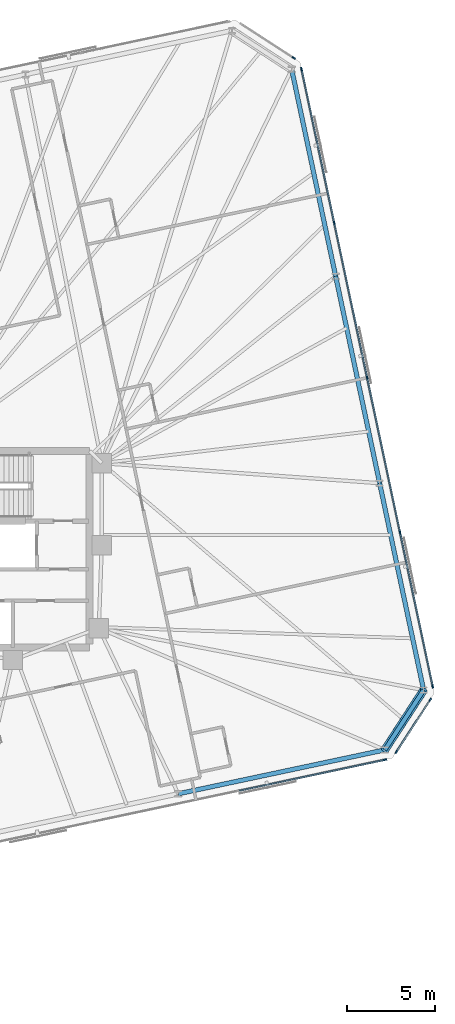
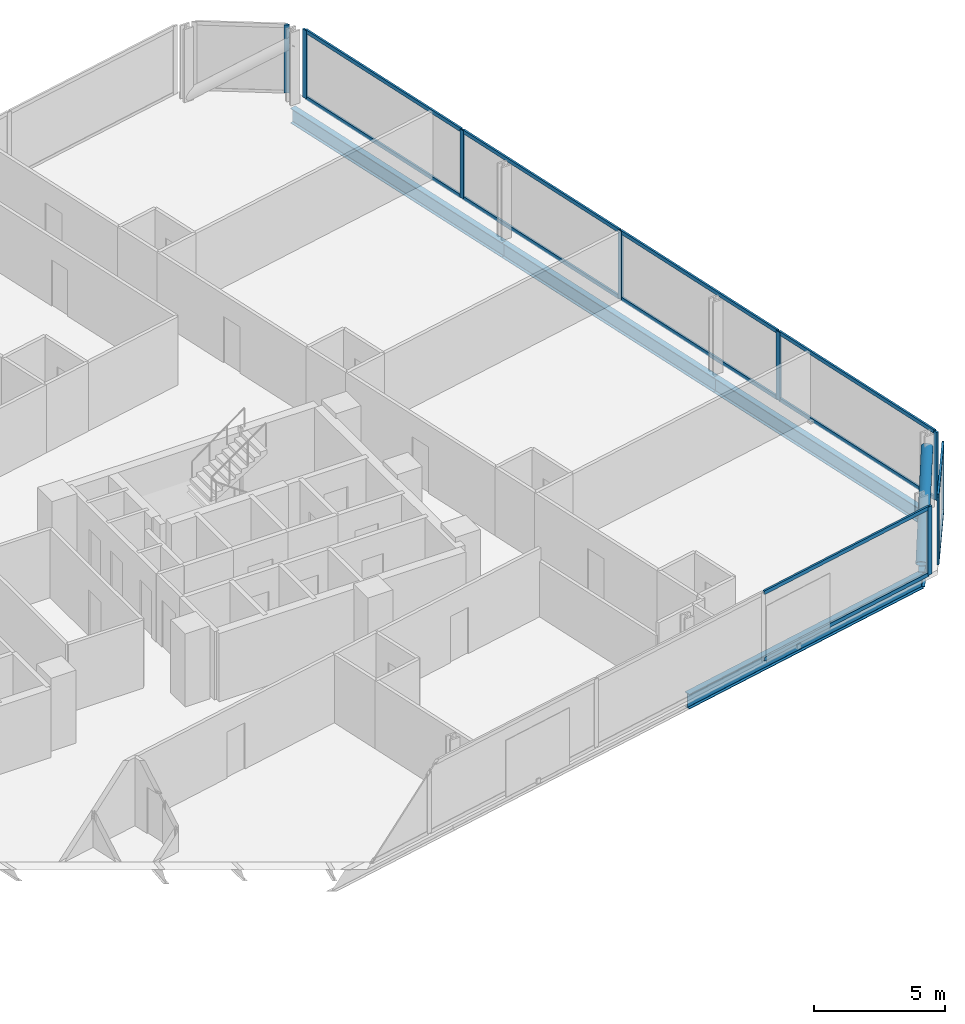
# One storey, part 12 of 19: 22 members, 5 beams, 4 elements without a shape of their own.
"""IFC4 building model written with IfcOpenShell, lengths in metres."""

from ifc_helpers import new_model, si_unit, direction, frame, origin, origin_2d, place, context, subcontext, project, spatial, rectangle, hollow_circle, i_section, extrude, material, material_profile, profile_set, type_object, element, aggregate, save


model = new_model("IFC4")

# Units and contexts
model_context = context("Model", 3, precision=1e-05, world=origin(), true_north=direction((0.0, 1.0)))
body_context = subcontext(model_context, "Body", "Model", "MODEL_VIEW")
ifc_project = project(units=[si_unit("LENGTHUNIT", "METRE"), si_unit("AREAUNIT", "SQUARE_METRE"), si_unit("VOLUMEUNIT", "CUBIC_METRE"), si_unit("PLANEANGLEUNIT", "RADIAN"), si_unit("MASSUNIT", "GRAM", prefix="KILO")], contexts=[model_context])

# Site, building, storey
site_placement = place(None, origin())
site = spatial("IfcSite", under=ifc_project, at=site_placement, CompositionType="ELEMENT")
building_placement = place(site_placement, origin())
building = spatial("IfcBuilding", under=site, at=building_placement, Name="Menara Jurai Vektor", CompositionType="ELEMENT")
storey_placement = place(building_placement, frame((0.0, 0.0, 161.60009765625)))
storey = spatial("IfcBuildingStorey", under=building, at=storey_placement, Name="L41", CompositionType="ELEMENT", Elevation=161.60009765625)

# Curtain wall, member
ifc_material_1 = material(Name="Anodised Pale Aluminium & Low-E Double Glazing", Category="aluminium")
curtain_wall_type = type_object("IfcCurtainWallType", Name="CW-BLK3", PredefinedType="NOTDEFINED", material=ifc_material_1)
curtain_wall_1_placement = place(storey_placement, origin())
curtain_wall_1 = element("IfcCurtainWall", 1, at=curtain_wall_1_placement, inside=storey, type_object=curtain_wall_type, Name="Unitised Curtain Wall L41 F01", PredefinedType="NOTDEFINED")
ifc_material_2 = material(Name="Anodised Pale Aluminium Mullion", Category="aluminium")
ifc_material_profile_1 = material_profile(ifc_material_2, rectangle(XDim=0.0849609375, YDim=0.205078125, at=origin_2d()), Name="ALU MUL 85x205")
ifc_profile_set_1 = profile_set([ifc_material_profile_1], Name="Anodised Pale Aluminium Mullion")
member_type_1 = type_object("IfcMemberType", Name="CW-BLK3-MUL", PredefinedType="MULLION", material=ifc_profile_set_1)
member_1_placement = place(storey_placement, frame((31.392578125, -11.99755859375, 0.0), z_axis=(0.0, 0.0, 1.0), x_axis=(-0.207911344156, 0.978147674419, 0.0)))
member_1 = element("IfcMember", 2, at=member_1_placement, type_object=member_type_1, Name="CW-03 mullion 8", PredefinedType="MULLION", context=body_context, shape_type="SweptSolid", body=[
    extrude(rectangle(XDim=0.0849609375, YDim=0.205078125, at=origin_2d()), origin(), (0.0, 0.0, 1.0), 3.1748046875),
])

# Curtain wall, members
curtain_wall_2_placement = place(storey_placement, origin())
curtain_wall_2 = element("IfcCurtainWall", 3, at=curtain_wall_2_placement, inside=storey, type_object=curtain_wall_type, Name="Unitised Curtain Wall L41 F02", PredefinedType="NOTDEFINED")
member_2_placement = place(storey_placement, frame((32.035888671875, -11.555419921875, 0.0), z_axis=(0.0, 0.0, 1.0), x_axis=(-0.838684361415, 0.544617794346, 0.0)))
member_2 = element("IfcMember", 4, at=member_2_placement, type_object=member_type_1, Name="CW-03 mullion 1", PredefinedType="MULLION", context=body_context, shape_type="SweptSolid", body=[
    extrude(rectangle(XDim=0.0849609375, YDim=0.205078125, at=origin_2d()), origin(), (0.0, 0.0, 1.0), 3.1748046875),
])
member_3_placement = place(storey_placement, frame((33.96337890625, -8.587158203125, 0.0), z_axis=(0.0, 0.0, 1.0), x_axis=(-0.838684361415, 0.544617794346, 0.0)))
member_3 = element("IfcMember", 5, at=member_3_placement, type_object=member_type_1, Name="CW-03 mullion 2", PredefinedType="MULLION", context=body_context, shape_type="SweptSolid", body=[
    extrude(rectangle(XDim=0.0849609375, YDim=0.205078125, at=origin_2d()), origin(), (0.0, 0.0, 1.0), 3.1748046875),
])

curtain_wall_3_placement = place(storey_placement, origin())
curtain_wall_3 = element("IfcCurtainWall", 6, at=curtain_wall_3_placement, inside=storey, type_object=curtain_wall_type, Name="Unitised Curtain Wall L41 F03", PredefinedType="NOTDEFINED")
member_4_placement = place(storey_placement, frame((34.105712890625, -7.819580078125, 0.0), z_axis=(0.0, 0.0, 1.0), x_axis=(-0.978147883949, -0.20791035839, 0.0)))
member_4 = element("IfcMember", 7, at=member_4_placement, type_object=member_type_1, Name="CW-03 mullion 1", PredefinedType="MULLION", context=body_context, shape_type="SweptSolid", body=[
    extrude(rectangle(XDim=0.0849609375, YDim=0.205078125, at=origin_2d()), origin(), (0.0, 0.0, 1.0), 3.1748046875),
])
member_5_placement = place(storey_placement, frame((32.2412109375, 0.951904296875, 0.0), z_axis=(0.0, 0.0, 1.0), x_axis=(-0.978147883949, -0.20791035839, 0.0)))
member_5 = element("IfcMember", 8, at=member_5_placement, type_object=member_type_1, Name="CW-03 mullion 2", PredefinedType="MULLION", context=body_context, shape_type="SweptSolid", body=[
    extrude(rectangle(XDim=0.0849609375, YDim=0.205078125, at=origin_2d()), origin(), (0.0, 0.0, 1.0), 3.1748046875),
])
member_6_placement = place(storey_placement, frame((30.367919921875, 9.76513671875, 0.0), z_axis=(0.0, 0.0, 1.0), x_axis=(-0.978147883949, -0.20791035839, 0.0)))
member_6 = element("IfcMember", 9, at=member_6_placement, type_object=member_type_1, Name="CW-03 mullion 3", PredefinedType="MULLION", context=body_context, shape_type="SweptSolid", body=[
    extrude(rectangle(XDim=0.0849609375, YDim=0.205078125, at=origin_2d()), origin(), (0.0, 0.0, 1.0), 3.1748046875),
])
member_7_placement = place(storey_placement, frame((28.49462890625, 18.578125, 0.0), z_axis=(0.0, 0.0, 1.0), x_axis=(-0.978147883949, -0.20791035839, 0.0)))
member_7 = element("IfcMember", 10, at=member_7_placement, type_object=member_type_1, Name="CW-03 mullion 4", PredefinedType="MULLION", context=body_context, shape_type="SweptSolid", body=[
    extrude(rectangle(XDim=0.0849609375, YDim=0.205078125, at=origin_2d()), origin(), (0.0, 0.0, 1.0), 3.1748046875),
])
member_8_placement = place(storey_placement, frame((26.630126953125, 27.349609375, 0.0), z_axis=(0.0, 0.0, 1.0), x_axis=(-0.978147883949, -0.20791035839, 0.0)))
member_8 = element("IfcMember", 11, at=member_8_placement, type_object=member_type_1, Name="CW-03 mullion 5", PredefinedType="MULLION", context=body_context, shape_type="SweptSolid", body=[
    extrude(rectangle(XDim=0.0849609375, YDim=0.205078125, at=origin_2d()), origin(), (0.0, 0.0, 1.0), 3.1748046875),
])

# Curtain wall, member
curtain_wall_4_placement = place(storey_placement, origin())
curtain_wall_4 = element("IfcCurtainWall", 12, at=curtain_wall_4_placement, inside=storey, type_object=curtain_wall_type, Name="Unitised Curtain Wall L41 F04", PredefinedType="NOTDEFINED")
member_9_placement = place(storey_placement, frame((26.18798828125, 27.9931640625, 0.0), z_axis=(0.0, 0.0, 1.0), x_axis=(-0.544617794346, -0.838684361415, 0.0)))
member_9 = element("IfcMember", 13, at=member_9_placement, type_object=member_type_1, Name="CW-03 mullion 1", PredefinedType="MULLION", context=body_context, shape_type="SweptSolid", body=[
    extrude(rectangle(XDim=0.0849609375, YDim=0.205078125, at=origin_2d()), origin(), (0.0, 0.0, 1.0), 3.1748046875),
])
aggregate(curtain_wall_4, [member_9])

# Member
ifc_material_3 = material(Name="Anodised Pale Aluminium Transom", Category="aluminium")
ifc_material_profile_2 = material_profile(ifc_material_3, rectangle(XDim=0.0849609375, YDim=0.175048828125, at=origin_2d()), Name="ALU TRN 85x175")
ifc_profile_set_2 = profile_set([ifc_material_profile_2], Name="Anodised Pale Aluminium Transom")
member_type_2 = type_object("IfcMemberType", Name="CW-BLK3-TRN", PredefinedType="USERDEFINED", material=ifc_profile_set_2)
member_10_placement = place(storey_placement, frame((23.0859375, -13.76318359375, 0.04248046875), z_axis=(0.978146953428, 0.207914736128, 0.0), x_axis=(-0.207914736128, 0.978146953428, 0.0)))
member_10 = element("IfcMember", 14, at=member_10_placement, type_object=member_type_2, Name="CW-03 transom 7.1", ObjectType="TRANSOM", PredefinedType="USERDEFINED", context=body_context, shape_type="SweptSolid", body=[
    extrude(rectangle(XDim=0.0849609375, YDim=0.175048828125, at=origin_2d()), origin(), (0.0, 0.0, 1.0), 8.44970703125),
])

member_11_placement = place(storey_placement, frame((23.0859375, -13.76318359375, 3.13232421875), z_axis=(0.978146953428, 0.207914736128, 0.0), x_axis=(-0.207914736128, 0.978146953428, 0.0)))
member_11 = element("IfcMember", 15, at=member_11_placement, type_object=member_type_2, Name="CW-03 transom 7.2", ObjectType="TRANSOM", PredefinedType="USERDEFINED", context=body_context, shape_type="SweptSolid", body=[
    extrude(rectangle(XDim=0.0849609375, YDim=0.175048828125, at=origin_2d()), origin(), (0.0, 0.0, 1.0), 8.44970703125),
])

aggregate(curtain_wall_1, [member_1, member_10, member_11])

member_12_placement = place(storey_placement, frame((32.05908203125, -11.519775390625, 0.04248046875), z_axis=(0.54459575764, 0.838698671014, 0.0), x_axis=(-0.838698671014, 0.54459575764, 0.0)))
member_12 = element("IfcMember", 16, at=member_12_placement, type_object=member_type_2, Name="CW-03 transom 1.1", ObjectType="TRANSOM", PredefinedType="USERDEFINED", context=body_context, shape_type="SweptSolid", body=[
    extrude(rectangle(XDim=0.0849609375, YDim=0.175048828125, at=origin_2d()), origin(), (0.0, 0.0, 1.0), 3.4541015625),
])

member_13_placement = place(storey_placement, frame((32.05908203125, -11.519775390625, 3.13232421875), z_axis=(0.54459575764, 0.838698671014, 0.0), x_axis=(-0.838698671014, 0.54459575764, 0.0)))
member_13 = element("IfcMember", 17, at=member_13_placement, type_object=member_type_2, Name="CW-03 transom 1.2", ObjectType="TRANSOM", PredefinedType="USERDEFINED", context=body_context, shape_type="SweptSolid", body=[
    extrude(rectangle(XDim=0.0849609375, YDim=0.175048828125, at=origin_2d()), origin(), (0.0, 0.0, 1.0), 3.4541015625),
])

aggregate(curtain_wall_2, [member_2, member_3, member_12, member_13])

member_14_placement = place(storey_placement, frame((34.096923828125, -7.778076171875, 0.04248046875), z_axis=(-0.207925814542, 0.978144598537, 0.0), x_axis=(-0.978144598537, -0.207925814542, 0.0)))
member_14 = element("IfcMember", 18, at=member_14_placement, type_object=member_type_2, Name="CW-03 transom 1.1", ObjectType="TRANSOM", PredefinedType="USERDEFINED", context=body_context, shape_type="SweptSolid", body=[
    extrude(rectangle(XDim=0.0849609375, YDim=0.175048828125, at=origin_2d()), origin(), (0.0, 0.0, 1.0), 8.882568359375),
])

member_15_placement = place(storey_placement, frame((34.096923828125, -7.778076171875, 3.13232421875), z_axis=(-0.207925814542, 0.978144598537, 0.0), x_axis=(-0.978144598537, -0.207925814542, 0.0)))
member_15 = element("IfcMember", 19, at=member_15_placement, type_object=member_type_2, Name="CW-03 transom 1.2", ObjectType="TRANSOM", PredefinedType="USERDEFINED", context=body_context, shape_type="SweptSolid", body=[
    extrude(rectangle(XDim=0.0849609375, YDim=0.175048828125, at=origin_2d()), origin(), (0.0, 0.0, 1.0), 8.882568359375),
])

member_16_placement = place(storey_placement, frame((32.232421875, 0.993408203125, 0.04248046875), z_axis=(-0.207922224243, 0.978145361726, 0.0), x_axis=(-0.978145361726, -0.207922224243, 0.0)))
member_16 = element("IfcMember", 20, at=member_16_placement, type_object=member_type_2, Name="CW-03 transom 2.1", ObjectType="TRANSOM", PredefinedType="USERDEFINED", context=body_context, shape_type="SweptSolid", body=[
    extrude(rectangle(XDim=0.0849609375, YDim=0.175048828125, at=origin_2d()), origin(), (0.0, 0.0, 1.0), 8.925048828125),
])

member_17_placement = place(storey_placement, frame((32.232421875, 0.993408203125, 3.13232421875), z_axis=(-0.207922224243, 0.978145361726, 0.0), x_axis=(-0.978145361726, -0.207922224243, 0.0)))
member_17 = element("IfcMember", 21, at=member_17_placement, type_object=member_type_2, Name="CW-03 transom 2.2", ObjectType="TRANSOM", PredefinedType="USERDEFINED", context=body_context, shape_type="SweptSolid", body=[
    extrude(rectangle(XDim=0.0849609375, YDim=0.175048828125, at=origin_2d()), origin(), (0.0, 0.0, 1.0), 8.925048828125),
])

member_18_placement = place(storey_placement, frame((30.359130859375, 9.806640625, 0.04248046875), z_axis=(-0.207922224243, 0.978145361726, 0.0), x_axis=(-0.978145361726, -0.207922224243, 0.0)))
member_18 = element("IfcMember", 22, at=member_18_placement, type_object=member_type_2, Name="CW-03 transom 3.1", ObjectType="TRANSOM", PredefinedType="USERDEFINED", context=body_context, shape_type="SweptSolid", body=[
    extrude(rectangle(XDim=0.0849609375, YDim=0.175048828125, at=origin_2d()), origin(), (0.0, 0.0, 1.0), 8.925048828125),
])

member_19_placement = place(storey_placement, frame((30.359130859375, 9.806640625, 3.13232421875), z_axis=(-0.207922224243, 0.978145361726, 0.0), x_axis=(-0.978145361726, -0.207922224243, 0.0)))
member_19 = element("IfcMember", 23, at=member_19_placement, type_object=member_type_2, Name="CW-03 transom 3.2", ObjectType="TRANSOM", PredefinedType="USERDEFINED", context=body_context, shape_type="SweptSolid", body=[
    extrude(rectangle(XDim=0.0849609375, YDim=0.175048828125, at=origin_2d()), origin(), (0.0, 0.0, 1.0), 8.925048828125),
])

member_20_placement = place(storey_placement, frame((28.48583984375, 18.61962890625, 0.04248046875), z_axis=(-0.207899517354, 0.978150188204, 0.0), x_axis=(-0.978150188204, -0.207899517354, 0.0)))
member_20 = element("IfcMember", 24, at=member_20_placement, type_object=member_type_2, Name="CW-03 transom 4.1", ObjectType="TRANSOM", PredefinedType="USERDEFINED", context=body_context, shape_type="SweptSolid", body=[
    extrude(rectangle(XDim=0.0849609375, YDim=0.175048828125, at=origin_2d()), origin(), (0.0, 0.0, 1.0), 8.882568359375),
])

member_21_placement = place(storey_placement, frame((28.48583984375, 18.61962890625, 3.13232421875), z_axis=(-0.207899517354, 0.978150188204, 0.0), x_axis=(-0.978150188204, -0.207899517354, 0.0)))
member_21 = element("IfcMember", 25, at=member_21_placement, type_object=member_type_2, Name="CW-03 transom 4.2", ObjectType="TRANSOM", PredefinedType="USERDEFINED", context=body_context, shape_type="SweptSolid", body=[
    extrude(rectangle(XDim=0.0849609375, YDim=0.175048828125, at=origin_2d()), origin(), (0.0, 0.0, 1.0), 8.882568359375),
])

aggregate(curtain_wall_3, [member_4, member_5, member_6, member_7, member_8, member_14, member_15, member_16, member_17, member_18, member_19, member_20, member_21])

ifc_material_4 = material(Name="Steel S460", Category="steel")
ifc_material_profile_3 = material_profile(ifc_material_4, hollow_circle(Radius=0.228515625, WallThickness=0.01611328125, at=origin_2d()), Name="CHS 457x16")
ifc_profile_set_3 = profile_set([ifc_material_profile_3], Name="Steel S460")
member_type_3 = type_object("IfcMemberType", Name="STR-BR-457", PredefinedType="BRACE", material=ifc_profile_set_3)
member_22_placement = place(storey_placement, frame((31.376220703125, -11.438720703125, 0.14990234375), z_axis=(0.454871874024, 0.700428396616, 0.549992399435), x_axis=(-0.838665998507, 0.544646071268, 0.0)))
element("IfcMember", 26, at=member_22_placement, inside=storey, type_object=member_type_3, Name="Exoskeleton Corner Brace L41-1", PredefinedType="BRACE", context=body_context, shape_type="SweptSolid", body=[
    extrude(hollow_circle(Radius=0.228515625, WallThickness=0.01611328125, at=origin_2d()), origin(), (0.0, 0.0, 1.0), 4.86376953125),
])

# Beams
ifc_material_profile_4 = material_profile(ifc_material_4, i_section(OverallWidth=0.256103515625, OverallDepth=0.693115234375, WebThickness=0.013916015625, FlangeThickness=0.02392578125, FilletRadius=0.014892578125, at=origin_2d()), Name="UKB 686x254x170")
ifc_profile_set_4 = profile_set([ifc_material_profile_4], Name="Steel S460")
beam_type = type_object("IfcBeamType", Name="STR-SP-686", PredefinedType="SPANDREL", material=ifc_profile_set_4)
beam_1_placement = place(storey_placement, frame((19.608154296875, -13.940185546875, -0.571533203125), z_axis=(0.97814616202, 0.207918459318, 0.0), x_axis=(-0.207918459318, 0.97814616202, 0.0)))
element("IfcBeam", 27, at=beam_1_placement, inside=storey, type_object=beam_type, Name="Exoskeleton Spandrel Beam L41-05", PredefinedType="SPANDREL", context=body_context, shape_type="SweptSolid", body=[
    extrude(i_section(OverallWidth=0.256103515625, OverallDepth=0.693115234375, WebThickness=0.013916015625, FlangeThickness=0.02392578125, FilletRadius=0.014892578125, at=origin_2d()), origin(), (0.0, 0.0, 1.0), 12.031005859375),
])
beam_2_placement = place(storey_placement, frame((31.376220703125, -11.438720703125, -0.571533203125), z_axis=(0.544646071268, 0.838665998507, 0.0), x_axis=(-0.838665998507, 0.544646071268, 0.0)))
element("IfcBeam", 28, at=beam_2_placement, inside=storey, type_object=beam_type, Name="Exoskeleton Spandrel Beam L41-06", PredefinedType="SPANDREL", context=body_context, shape_type="SweptSolid", body=[
    extrude(i_section(OverallWidth=0.256103515625, OverallDepth=0.693115234375, WebThickness=0.013916015625, FlangeThickness=0.02392578125, FilletRadius=0.014892578125, at=origin_2d()), origin(), (0.0, 0.0, 1.0), 4.06201171875),
])
beam_3_placement = place(storey_placement, frame((33.588623046875, -8.031982421875, -0.571533203125), z_axis=(-0.207925382659, 0.978144690343, 0.0), x_axis=(-0.978144690343, -0.207925382659, 0.0)))
element("IfcBeam", 29, at=beam_3_placement, inside=storey, type_object=beam_type, Name="Exoskeleton Spandrel Beam L41-07", PredefinedType="SPANDREL", context=body_context, shape_type="SweptSolid", body=[
    extrude(i_section(OverallWidth=0.256103515625, OverallDepth=0.693115234375, WebThickness=0.013916015625, FlangeThickness=0.02392578125, FilletRadius=0.014892578125, at=origin_2d()), origin(), (0.0, 0.0, 1.0), 12.0517578125),
])
for number, where, z_axis, x_axis, name in (
    (30, (31.082763671875, 3.75634765625, -0.571533203125), (-0.207901880993, 0.978149685825, 0.0), (-0.978149685825, -0.207901880993, 0.0), "Exoskeleton Spandrel Beam L41-08"),
    (31, (28.5771484375, 15.544921875, -0.571533203125), (-0.207921262698, 0.978145566119, 0.0), (-0.978145566119, -0.207921262698, 0.0), "Exoskeleton Spandrel Beam L41-09"),
):
    element("IfcBeam", number, at=place(storey_placement, frame(where, z_axis=z_axis, x_axis=x_axis)), inside=storey, type_object=beam_type, Name=name, PredefinedType="SPANDREL", context=body_context, shape_type="SweptSolid", body=[
        extrude(i_section(OverallWidth=0.256103515625, OverallDepth=0.693115234375, WebThickness=0.013916015625, FlangeThickness=0.02392578125, FilletRadius=0.014892578125, at=origin_2d()), origin(), (0.0, 0.0, 1.0), 12.052001953125),
    ])

save(model, "model.ifc")
